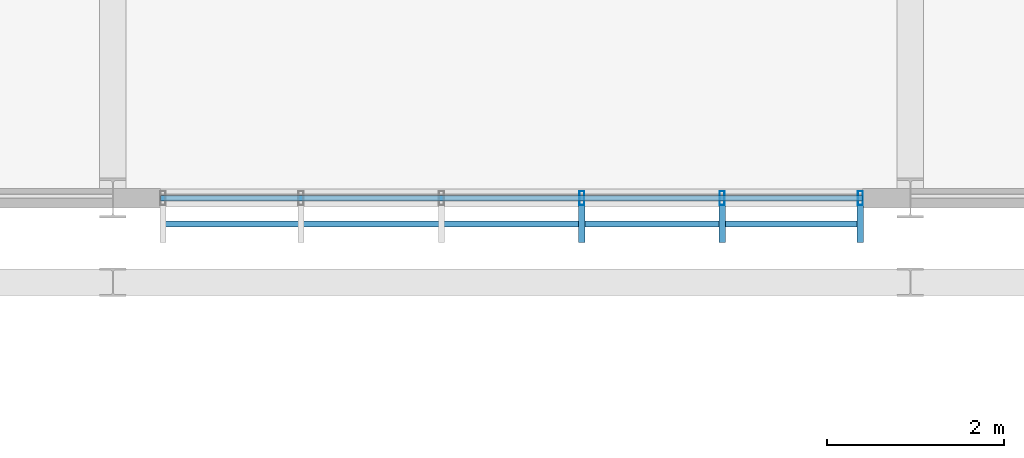
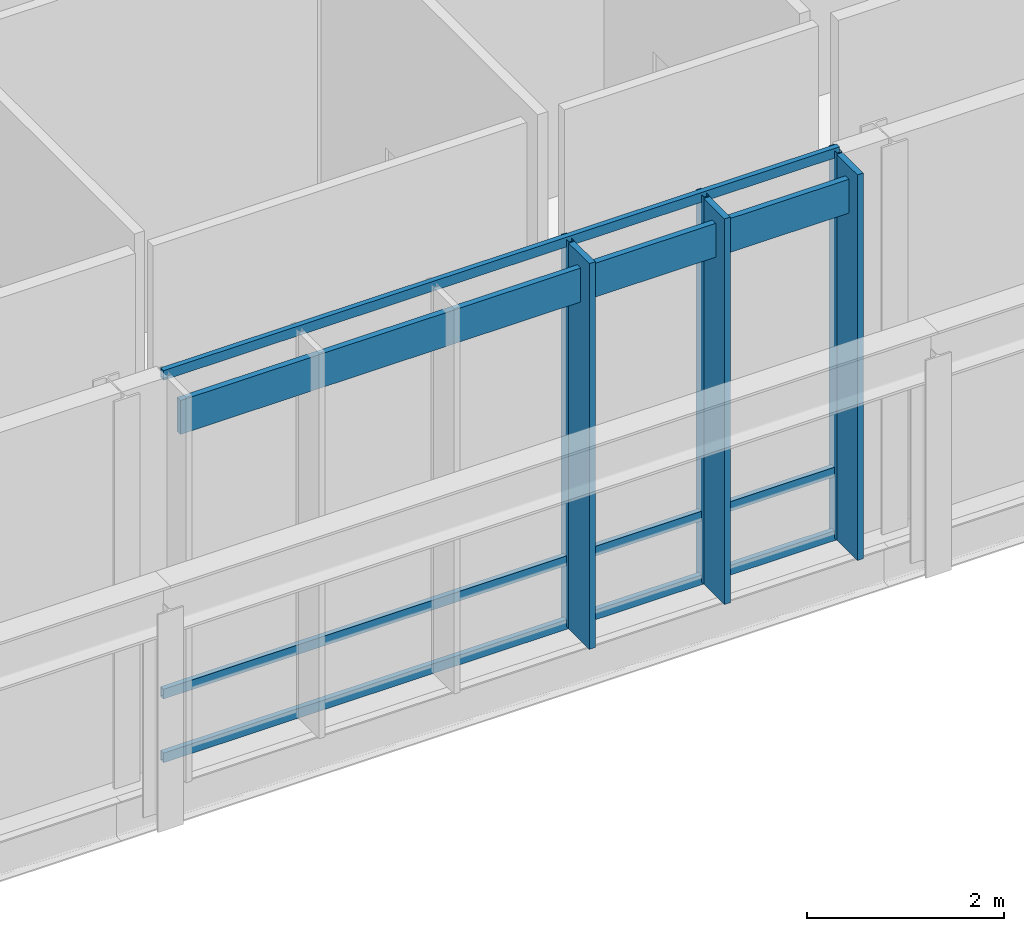
# One storey, part 106 of 177: 10 members, 1 element without a shape of its own.
"""IFC4 building model written with IfcOpenShell, lengths in metres."""

import ifcopenshell
import ifcopenshell.guid

model = None  # the IFC model being written
_history = None  # IfcOwnerHistory: only IFC2X3 demands one
_inside = {}  # id of a spatial element -> (the spatial element, [elements in it])
_under = {}  # id of a project, library or spatial element -> (it, [spatial elements below it])
_declared = {}  # id of a project -> (the project, [libraries it declares])
_typed = {}  # id of a type object -> (the type object, [elements of that type])
_made_of = {}  # id of a material, layer set ... -> (it, [elements and type objects made of it])


def new_model(schema):
    """Start an empty IFC model of exactly this schema.

    Asked for "IFC4X3", IfcOpenShell would pick the latest addendum, in which some entities
    have other attributes; the version numbers below select the first issue.
    IFC2X3 requires an IfcOwnerHistory on every rooted entity: one is made here for all.
    """
    global model, _history
    if schema == "IFC4X3":
        model = ifcopenshell.file(schema_version=(4, 3, 0, 0))
    else:
        model = ifcopenshell.file(schema=schema)
    _inside.clear()
    _under.clear()
    _declared.clear()
    _typed.clear()
    _made_of.clear()
    _history = None
    if model.schema == "IFC2X3":
        org = make("IfcOrganization", Name="unknown")
        user = make(
            "IfcPersonAndOrganization",
            ThePerson=make("IfcPerson", FamilyName="unknown"),
            TheOrganization=org,
        )
        app = make(
            "IfcApplication",
            ApplicationDeveloper=org,
            Version="unknown",
            ApplicationFullName="unknown",
            ApplicationIdentifier="unknown",
        )
        _history = make(
            "IfcOwnerHistory",
            OwningUser=user,
            OwningApplication=app,
            ChangeAction="ADDED",
            CreationDate=0,
        )
    return model


def make(cls, **values):
    """One entity of the class cls with the attributes given. An attribute that is None is left unset."""
    return model.create_entity(
        cls, **{name: value for name, value in values.items() if value is not None}
    )


def rooted(cls, **values):
    """An entity with a GlobalId (a new one), such as an element, a storey or a relation."""
    return make(cls, GlobalId=ifcopenshell.guid.new(), OwnerHistory=_history, **values)


def si_unit(unit_type, name, prefix=None):
    """IfcSIUnit, for example si_unit("LENGTHUNIT", "METRE", prefix="MILLI")."""
    return make("IfcSIUnit", UnitType=unit_type, Prefix=prefix, Name=name)


def assignment(units):
    """IfcUnitAssignment: the units of a project."""
    return None if units is None else make("IfcUnitAssignment", Units=units)


def point(xyz):
    """IfcCartesianPoint."""
    return None if xyz is None else make("IfcCartesianPoint", Coordinates=xyz)


def direction(xyz):
    """IfcDirection."""
    return None if xyz is None else make("IfcDirection", DirectionRatios=xyz)


def frame(location, z_axis=None, x_axis=None):
    """IfcAxis2Placement3D, a coordinate frame: its origin and axes. An axis left out is left unset."""
    return make(
        "IfcAxis2Placement3D",
        Location=point(location),
        Axis=direction(z_axis),
        RefDirection=direction(x_axis),
    )


def frame_2d(location, x_axis=None):
    """IfcAxis2Placement2D, a coordinate frame in the plane: its origin and x axis."""
    return make(
        "IfcAxis2Placement2D", Location=point(location), RefDirection=direction(x_axis)
    )


def origin():
    """The frame at (0, 0, 0) with its axes left unset."""
    return frame((0.0, 0.0, 0.0))


def origin_2d():
    """The frame at (0, 0) in the plane with its x axis left unset."""
    return frame_2d((0.0, 0.0))


def place(relative_to, where):
    """IfcLocalPlacement: puts the frame where relative to a parent placement (None: the world)."""
    return make(
        "IfcLocalPlacement", PlacementRelTo=relative_to, RelativePlacement=where
    )


def context(
    kind, dimensions, precision=None, world=None, true_north=None, identifier=None
):
    """IfcGeometricRepresentationContext, for example the 3D "Model" context."""
    return make(
        "IfcGeometricRepresentationContext",
        ContextIdentifier=identifier,
        ContextType=kind,
        CoordinateSpaceDimension=dimensions,
        Precision=precision,
        WorldCoordinateSystem=world,
        TrueNorth=true_north,
    )


def subcontext(parent, identifier, kind, view, scale=None):
    """IfcGeometricRepresentationSubContext, for example "Body" below "Model"."""
    return make(
        "IfcGeometricRepresentationSubContext",
        ContextIdentifier=identifier,
        ContextType=kind,
        ParentContext=parent,
        TargetScale=scale,
        TargetView=view,
    )


def project(units=None, contexts=None):
    """IfcProject with its units and contexts."""
    return rooted(
        "IfcProject",
        Name="project",
        RepresentationContexts=contexts,
        UnitsInContext=assignment(units),
    )


def spatial(cls, under=None, at=None, **own):
    """A site, building, storey or space (cls), placed at a placement, below another one or the project."""
    s = rooted(cls, ObjectPlacement=at, **own)
    if under is not None:
        _under.setdefault(under.id(), (under, []))[1].append(s)
    return s


def profile(cls, at=None, kind="AREA", **sizes):
    """A parametric profile (cls). Its sizes go by their IFC names, for example OverallWidth=200.0."""
    return make(cls, ProfileType=kind, Position=at, **sizes)


def rectangle(**sizes):
    """IfcRectangleProfileDef."""
    return profile("IfcRectangleProfileDef", **sizes)


def hollow_rectangle(**sizes):
    """IfcRectangleHollowProfileDef."""
    return profile("IfcRectangleHollowProfileDef", **sizes)


def extrude(swept, where, along, depth):
    """IfcExtrudedAreaSolid: the profile swept, set in the frame where, extruded along a direction by depth."""
    return make(
        "IfcExtrudedAreaSolid",
        SweptArea=swept,
        Position=where,
        ExtrudedDirection=direction(along),
        Depth=depth,
    )


def shape(context_of_items, identifier, shape_type, items):
    """IfcShapeRepresentation: the items that make up one representation, for example the "Body"."""
    return make(
        "IfcShapeRepresentation",
        ContextOfItems=context_of_items,
        RepresentationIdentifier=identifier,
        RepresentationType=shape_type,
        Items=items,
    )


def material(Name=None, Category=None):
    """IfcMaterial."""
    return make("IfcMaterial", Name=Name, Category=Category)


def material_profile(
    of_material, cross_section, Name=None, Category=None, Priority=None
):
    """IfcMaterialProfile: a cross section and its material."""
    return make(
        "IfcMaterialProfile",
        Name=Name,
        Material=of_material,
        Profile=cross_section,
        Priority=Priority,
        Category=Category,
    )


def profile_set(profiles, Name=None, composite=None):
    """IfcMaterialProfileSet."""
    return make(
        "IfcMaterialProfileSet",
        Name=Name,
        MaterialProfiles=profiles,
        CompositeProfile=composite,
    )


def made_of(thing, what):
    """Note that an element or type object is made of a material, layer set ...; save() writes the relation."""
    if what is not None:
        _made_of.setdefault(what.id(), (what, []))[1].append(thing)
    return thing


def type_object(cls, material=None, **own):
    """A type object (cls), such as IfcWallType, which elements share."""
    return made_of(rooted(cls, **own), material)


def element(
    cls,
    number,
    at=None,
    inside=None,
    cuts=None,
    type_object=None,
    material=None,
    context=None,
    identifier="Body",
    shape_type=None,
    held_by="IfcProductDefinitionShape",
    body=None,
    shapes=None,
    **own,
):
    """One element of the class cls, such as IfcWall. Its Tag is "e" and its number.

    at: its placement. inside: the storey or other place that contains it. cuts: it is an
    opening in that element (IfcRelVoidsElement). A single representation is given by context,
    identifier, shape_type and body (its items); several are given by shapes. held_by: the class
    of the entity that holds the representations. save() writes the other relations.
    """
    e = rooted(cls, Tag="e%d" % number, ObjectPlacement=at, **own)
    if body is not None:
        shapes = [shape(context, identifier, shape_type, body)]
    if shapes is not None:
        e.Representation = make(held_by, Representations=shapes)
    if inside is not None:
        _inside.setdefault(inside.id(), (inside, []))[1].append(e)
    if cuts is not None:
        rooted(
            "IfcRelVoidsElement", RelatingBuildingElement=cuts, RelatedOpeningElement=e
        )
    if type_object is not None:
        _typed.setdefault(type_object.id(), (type_object, []))[1].append(e)
    return made_of(e, material)


def aggregate(whole, parts):
    """IfcRelAggregates: a whole, such as a stair, and the parts it consists of."""
    return rooted("IfcRelAggregates", RelatingObject=whole, RelatedObjects=parts)


def save(model, path):
    """Write the relations noted so far, then the file.

    IfcRelAggregates (storeys below a building ...), IfcRelContainedInSpatialStructure (elements
    in a storey), IfcRelDefinesByType, IfcRelAssociatesMaterial and IfcRelDeclares: one each for
    every whole, place, type object, material and project.
    """
    for whole, parts in _under.values():
        aggregate(whole, parts)
    for where, things in _inside.values():
        rooted(
            "IfcRelContainedInSpatialStructure",
            RelatedElements=things,
            RelatingStructure=where,
        )
    for kind, things in _typed.values():
        rooted("IfcRelDefinesByType", RelatedObjects=things, RelatingType=kind)
    for what, things in _made_of.values():
        rooted("IfcRelAssociatesMaterial", RelatedObjects=things, RelatingMaterial=what)
    for by, libraries in _declared.values():
        rooted("IfcRelDeclares", RelatingContext=by, RelatedDefinitions=libraries)
    model.write(path)


model = new_model("IFC4")

# Units and contexts
model_context = context("Model", 3, precision=1e-05, world=origin(), true_north=direction((0.0, 1.0)))
body_context = subcontext(model_context, "Body", "Model", "MODEL_VIEW")
ifc_project = project(units=[si_unit("LENGTHUNIT", "METRE"), si_unit("AREAUNIT", "SQUARE_METRE"), si_unit("VOLUMEUNIT", "CUBIC_METRE"), si_unit("PLANEANGLEUNIT", "RADIAN"), si_unit("MASSUNIT", "GRAM", prefix="KILO")], contexts=[model_context])

# Site, building, storey
site_placement = place(None, origin())
site = spatial("IfcSite", under=ifc_project, at=site_placement, CompositionType="ELEMENT")
building_placement = place(site_placement, origin())
building = spatial("IfcBuilding", under=site, at=building_placement, Name="Chiffa Square Polytechnic", CompositionType="ELEMENT")
storey_placement = place(building_placement, frame((0.0, 0.0, 4.800048828125)))
storey = spatial("IfcBuildingStorey", under=building, at=storey_placement, Name="L01", CompositionType="ELEMENT", Elevation=4.800048828125)

# Curtain wall, members
ifc_material_1 = material(Name="Aluminium EN AW-6060 T66 and glulam shading", Category="wood")
curtain_wall_type = type_object("IfcCurtainWallType", Name="CW-VERT-600X380", PredefinedType="USERDEFINED", material=ifc_material_1)
curtain_wall_placement = place(storey_placement, origin())
curtain_wall = element("IfcCurtainWall", 1, at=curtain_wall_placement, inside=storey, type_object=curtain_wall_type, Name="Curtain wall CW-V2-L01-148", ObjectType="CURTAIN WALL", PredefinedType="USERDEFINED")
ifc_material_2 = material(Name="Aluminium EN AW-6060 T66", Category="aluminium")
ifc_material_profile_1 = material_profile(ifc_material_2, hollow_rectangle(XDim=0.06005859375, YDim=0.159912109375, WallThickness=0.00390625, at=origin_2d()), Name="ALU 60x160x4")
ifc_profile_set_1 = profile_set([ifc_material_profile_1], Name="Aluminium EN AW-6060 T66")
member_type_1 = type_object("IfcMemberType", Name="CWM-ALU-65X150", PredefinedType="MULLION", material=ifc_profile_set_1)
member_1_placement = place(storey_placement, frame((144.491943359375, 87.0, 0.0), z_axis=(0.0, 0.0, 1.0), x_axis=(1.0, 0.0, 0.0)))
member_1 = element("IfcMember", 2, at=member_1_placement, type_object=member_type_1, Name="Curtain wall mullion CW-V2-L01-148-M03", PredefinedType="MULLION", context=body_context, shape_type="SweptSolid", body=[
    extrude(hollow_rectangle(XDim=0.06005859375, YDim=0.159912109375, WallThickness=0.00390625, at=origin_2d()), origin(), (0.0, 0.0, 1.0), 4.800048828125),
])
member_2_placement = place(storey_placement, frame((146.075927734375, 87.0, 0.0), z_axis=(0.0, 0.0, 1.0), x_axis=(1.0, 0.0, 0.0)))
member_2 = element("IfcMember", 3, at=member_2_placement, type_object=member_type_1, Name="Curtain wall mullion CW-V2-L01-148-M04", PredefinedType="MULLION", context=body_context, shape_type="SweptSolid", body=[
    extrude(hollow_rectangle(XDim=0.06005859375, YDim=0.159912109375, WallThickness=0.00390625, at=origin_2d()), origin(), (0.0, 0.0, 1.0), 4.800048828125),
])
member_3_placement = place(storey_placement, frame((147.635009765625, 87.0, 0.0), z_axis=(0.0, 0.0, 1.0), x_axis=(1.0, 0.0, 0.0)))
member_3 = element("IfcMember", 4, at=member_3_placement, type_object=member_type_1, Name="Curtain wall mullion CW-V2-L01-148-M05", PredefinedType="MULLION", context=body_context, shape_type="SweptSolid", body=[
    extrude(hollow_rectangle(XDim=0.06005859375, YDim=0.159912109375, WallThickness=0.00390625, at=origin_2d()), origin(), (0.0, 0.0, 1.0), 4.800048828125),
])
ifc_material_3 = material(Name="Glulam GL28h", Category="wood")
ifc_material_profile_2 = material_profile(ifc_material_3, rectangle(XDim=0.070068359375, YDim=0.419921875, at=origin_2d()), Name="GL28h 70x420")
ifc_profile_set_2 = profile_set([ifc_material_profile_2], Name="Glulam GL28h")
member_type_2 = type_object("IfcMemberType", Name="CWM-GL-70X420", PredefinedType="MULLION", material=ifc_profile_set_2)
member_4_placement = place(storey_placement, frame((144.491943359375, 86.7080078125, 0.010009765625), z_axis=(0.0, 0.0, 1.0), x_axis=(1.0, 0.0, 0.0)))
member_4 = element("IfcMember", 5, at=member_4_placement, type_object=member_type_2, Name="Exterior glulam solar fin CW-V2-L01-148-FN03", PredefinedType="MULLION", context=body_context, shape_type="SweptSolid", body=[
    extrude(rectangle(XDim=0.070068359375, YDim=0.419921875, at=origin_2d()), origin(), (0.0, 0.0, 1.0), 4.780029296875),
])
member_5_placement = place(storey_placement, frame((146.075927734375, 86.7080078125, 0.010009765625), z_axis=(0.0, 0.0, 1.0), x_axis=(1.0, 0.0, 0.0)))
member_5 = element("IfcMember", 6, at=member_5_placement, type_object=member_type_2, Name="Exterior glulam solar fin CW-V2-L01-148-FN04", PredefinedType="MULLION", context=body_context, shape_type="SweptSolid", body=[
    extrude(rectangle(XDim=0.070068359375, YDim=0.419921875, at=origin_2d()), origin(), (0.0, 0.0, 1.0), 4.780029296875),
])
member_6_placement = place(storey_placement, frame((147.635009765625, 86.7080078125, 0.010009765625), z_axis=(0.0, 0.0, 1.0), x_axis=(1.0, 0.0, 0.0)))
member_6 = element("IfcMember", 7, at=member_6_placement, type_object=member_type_2, Name="Exterior glulam solar fin CW-V2-L01-148-FN05", PredefinedType="MULLION", context=body_context, shape_type="SweptSolid", body=[
    extrude(rectangle(XDim=0.070068359375, YDim=0.419921875, at=origin_2d()), origin(), (0.0, 0.0, 1.0), 4.780029296875),
])
ifc_material_profile_3 = material_profile(ifc_material_2, hollow_rectangle(XDim=0.06005859375, YDim=0.1201171875, WallThickness=0.00390625, at=origin_2d()), Name="ALU 60x120x4")
ifc_profile_set_3 = profile_set([ifc_material_profile_3], Name="Aluminium EN AW-6060 T66")
member_type_3 = type_object("IfcMemberType", Name="CWT-ALU-65X120", PredefinedType="USERDEFINED", material=ifc_profile_set_3)
member_7_placement = place(storey_placement, frame((139.738037109375, 87.0, 0.030029296875), z_axis=(1.0, 0.0, 0.0), x_axis=(0.0, 1.0, 0.0)))
member_7 = element("IfcMember", 8, at=member_7_placement, type_object=member_type_3, Name="Curtain wall transom CW-V2-L01-148-T01", ObjectType="TRANSOM", PredefinedType="USERDEFINED", context=body_context, shape_type="SweptSolid", body=[
    extrude(hollow_rectangle(XDim=0.06005859375, YDim=0.1201171875, WallThickness=0.00390625, at=origin_2d()), origin(), (0.0, 0.0, 1.0), 7.924072265625),
])
member_8_placement = place(storey_placement, frame((139.738037109375, 87.0, 0.820068359375), z_axis=(1.0, 0.0, 0.0), x_axis=(0.0, 1.0, 0.0)))
member_8 = element("IfcMember", 9, at=member_8_placement, type_object=member_type_3, Name="Curtain wall transom CW-V2-L01-148-T02", ObjectType="TRANSOM", PredefinedType="USERDEFINED", context=body_context, shape_type="SweptSolid", body=[
    extrude(hollow_rectangle(XDim=0.06005859375, YDim=0.1201171875, WallThickness=0.00390625, at=origin_2d()), origin(), (0.0, 0.0, 1.0), 7.924072265625),
])
member_9_placement = place(storey_placement, frame((139.738037109375, 87.0, 4.77001953125), z_axis=(1.0, 0.0, 0.0), x_axis=(0.0, 1.0, 0.0)))
member_9 = element("IfcMember", 10, at=member_9_placement, type_object=member_type_3, Name="Curtain wall transom CW-V2-L01-148-T03", ObjectType="TRANSOM", PredefinedType="USERDEFINED", context=body_context, shape_type="SweptSolid", body=[
    extrude(hollow_rectangle(XDim=0.06005859375, YDim=0.1201171875, WallThickness=0.00390625, at=origin_2d()), origin(), (0.0, 0.0, 1.0), 7.924072265625),
])
ifc_material_profile_4 = material_profile(ifc_material_3, rectangle(XDim=0.070068359375, YDim=0.419921875, at=origin_2d()), Name="GL28h 70x420")
ifc_profile_set_4 = profile_set([ifc_material_profile_4], Name="Glulam GL28h")
member_type_4 = type_object("IfcMemberType", Name="CWT-GL-70X420", PredefinedType="USERDEFINED", material=ifc_profile_set_4)
member_10_placement = place(storey_placement, frame((139.764892578125, 86.7080078125, 4.419921875), z_axis=(1.0, 0.0, 0.0), x_axis=(0.0, 1.0, 0.0)))
member_10 = element("IfcMember", 11, at=member_10_placement, type_object=member_type_4, Name="Exterior glulam brise-soleil CW-V2-L01-148-BS01", ObjectType="TRANSOM", PredefinedType="USERDEFINED", context=body_context, shape_type="SweptSolid", body=[
    extrude(rectangle(XDim=0.070068359375, YDim=0.419921875, at=origin_2d()), origin(), (0.0, 0.0, 1.0), 7.8701171875),
])
aggregate(curtain_wall, [member_1, member_4, member_2, member_5, member_3, member_6, member_7, member_8, member_9, member_10])

save(model, "model.ifc")
